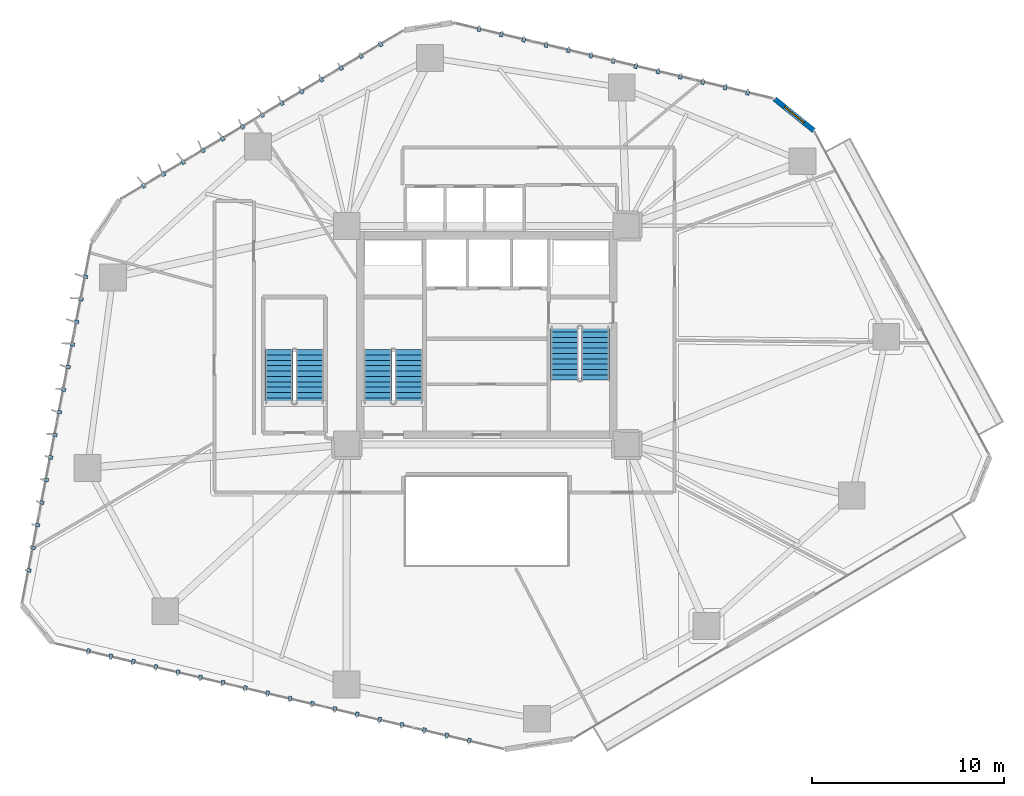
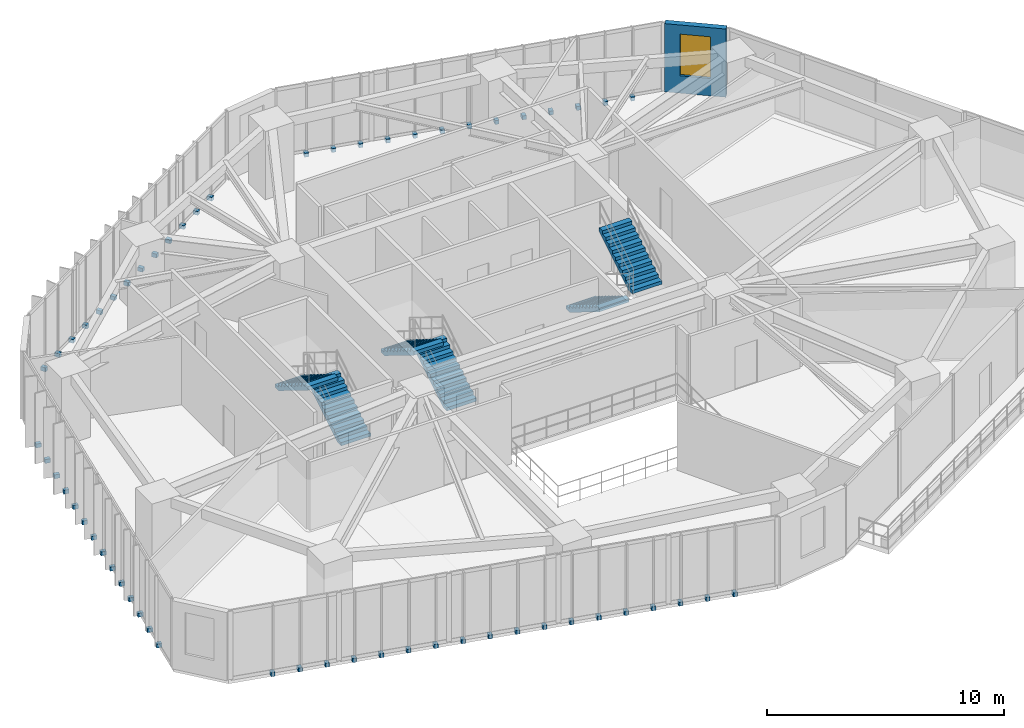
# One storey, part 19 of 23: 58 discrete accessories, 6 stair flights, 1 wall, 1 window, 1 opening, 3 elements without a shape of their own.
"""IFC4 building model written with IfcOpenShell, lengths in metres."""

from ifc_helpers import new_model, si_unit, direction, frame, frame_2d, origin, origin_2d, place, context, subcontext, project, spatial, polyline, rectangle, outline, extrude, source, transform, mapped, material, layer, layer_set, type_object, type_shapes, element, fill, aggregate, save


model = new_model("IFC4")

# Units and contexts
model_context = context("Model", 3, precision=1e-05, world=origin(), true_north=direction((0.0, 1.0)))
body_context = subcontext(model_context, "Body", "Model", "MODEL_VIEW")
ifc_project = project(units=[si_unit("LENGTHUNIT", "METRE"), si_unit("AREAUNIT", "SQUARE_METRE"), si_unit("VOLUMEUNIT", "CUBIC_METRE"), si_unit("PLANEANGLEUNIT", "RADIAN"), si_unit("MASSUNIT", "GRAM", prefix="KILO")], contexts=[model_context])

# Site, building, storey
site_placement = place(None, origin())
site = spatial("IfcSite", under=ifc_project, at=site_placement, CompositionType="ELEMENT")
building_placement = place(site_placement, origin())
building = spatial("IfcBuilding", under=site, at=building_placement, Name="Talar Marvaseh", CompositionType="ELEMENT")
storey_placement = place(building_placement, frame((0.0, 0.0, 50.60009765625)))
storey = spatial("IfcBuildingStorey", under=building, at=storey_placement, Name="L12", CompositionType="ELEMENT", Elevation=50.60009765625)

# Wall, opening, window
ifc_material_1 = material(Name="Precast concrete C45/55", Category="concrete")
ifc_layer_1 = layer(ifc_material_1, 0.27001953125)
ifc_layer_set_1 = layer_set([ifc_layer_1], Name="Precast concrete C45/55")
wall_type = type_object("IfcWallType", Name="Chamfered Hexagonal Corner Pier Wall Z1 270", PredefinedType="SOLIDWALL", material=ifc_layer_set_1)
wall_placement = place(storey_placement, frame((41.023681640625, 43.5224609375, 0.0), z_axis=(0.0, 0.0, 1.0), x_axis=(0.778539176846, -0.627596008684, 0.0)))
wall = element("IfcWall", 1, at=wall_placement, inside=storey, type_object=wall_type, Name="L12 Chamfered Corner Limestone Pier 4", PredefinedType="SOLIDWALL", context=body_context, shape_type="SweptSolid", body=[
    extrude(rectangle(XDim=2.62353515625, YDim=0.27001953125, at=frame_2d((1.311767578125, 0.0))), origin(), (0.0, 0.0, 1.0), 3.52001953125),
])
opening_placement = place(wall_placement, frame((0.662109375, 0.0, 0.89990234375)))
opening = element("IfcOpeningElement", 2, at=opening_placement, cuts=wall, Name="Opening WN-CHM13", PredefinedType="OPENING", context=body_context, shape_type="SweptSolid", body=[
    extrude(rectangle(XDim=1.300048828125, YDim=2.14990234375, at=frame_2d((0.64990234375, 1.074951171875))), frame((0.0, 0.14501953125, 0.0), z_axis=(0.0, -1.0, 0.0), x_axis=(1.0, 0.0, 0.0)), (0.0, 0.0, 1.0), 0.2900390625),
])
ifc_material_2 = material(Name="Laminated Low-E Solar Glass", Category="glass")
window_type = type_object("IfcWindowType", Name="Zone 1 Chamfered Corner Slot Window 1300x2150", PartitioningType="SINGLE_PANEL", PredefinedType="WINDOW", material=ifc_material_2)
shared_shape_1 = source(origin(), body_context, "Body", "SweptSolid", [
    extrude(rectangle(XDim=1.300048828125, YDim=2.14990234375, at=frame_2d((0.64990234375, 1.074951171875))), frame((0.0, 0.030029296875, 0.0), z_axis=(0.0, -1.0, 0.0), x_axis=(1.0, 0.0, 0.0)), (0.0, 0.0, 1.0), 0.06005859375),
])
type_shapes(window_type, [shared_shape_1])
window_placement = place(opening_placement, origin())
window = element("IfcWindow", 3, at=window_placement, inside=storey, type_object=window_type, Name="L12 Chamfered Corner Slot Window", OverallHeight=2.14990234375, OverallWidth=1.300048828125, PartitioningType="SINGLE_PANEL", PredefinedType="WINDOW", context=body_context, shape_type="MappedRepresentation", body=[
    mapped(shared_shape_1, transform((0.0, 0.0, 0.0), x_axis=(1.0, 0.0, 0.0), y_axis=(0.0, 1.0, 0.0), z_axis=(0.0, 0.0, 1.0), scale=1.0)),
])
fill(opening, window)

# Stair, stair flights
ifc_material_3 = material(Name="Concrete C40/50", Category="concrete")
stair_type = type_object("IfcStairType", Name="Reinforced Concrete Half-Turn Exit Stair Type B", PredefinedType="HALF_TURN_STAIR", material=ifc_material_3)
stair_1_placement = place(storey_placement, origin())
stair_1 = element("IfcStair", 4, at=stair_1_placement, inside=storey, type_object=stair_type, Name="L12 Tower West Core Exit Stair", PredefinedType="HALF_TURN_STAIR")
ifc_layer_2 = layer(ifc_material_3, 0.159912109375)
ifc_layer_set_2 = layer_set([ifc_layer_2], Name="Concrete C40/50")
stair_flight_type = type_object("IfcStairFlightType", Name="Reinforced Concrete Straight Stair Flight 160", PredefinedType="STRAIGHT", material=ifc_layer_set_2)
stair_flight_1_placement = place(storey_placement, frame((21.93505859375, 27.64990234375, 0.0), z_axis=(0.0, 0.0, 1.0), x_axis=(0.0, 1.0, 0.0)))
stair_flight_1 = element("IfcStairFlight", 5, at=stair_flight_1_placement, type_object=stair_flight_type, Name="ST-1 flight 1", NumberOfRisers=11, NumberOfTreads=10, PredefinedType="STRAIGHT", RiserHeight=0.172727273, TreadLength=0.28, context=body_context, shape_type="SweptSolid", body=[
    extrude(outline(polyline([(0.0, 0.0), (0.0, 0.172607421875), (0.280029296875, 0.172607421875), (0.280029296875, 0.345458984375), (0.56005859375, 0.345458984375), (0.56005859375, 0.51806640625), (0.840087890625, 0.51806640625), (0.840087890625, 0.69091796875), (1.1201171875, 0.69091796875), (1.1201171875, 0.863525390625), (1.39990234375, 0.863525390625), (1.39990234375, 1.036376953125), (1.679931640625, 1.036376953125), (1.679931640625, 1.208984375), (1.9599609375, 1.208984375), (1.9599609375, 1.3818359375), (2.239990234375, 1.3818359375), (2.239990234375, 1.554443359375), (2.52001953125, 1.554443359375), (2.52001953125, 1.727294921875), (2.800048828125, 1.727294921875), (2.800048828125, 1.89990234375), (2.800048828125, 1.539306640625), (0.3046875, 0.0), (0.0, 0.0)])), frame((0.0, 0.72509765625, 0.0), z_axis=(0.0, -1.0, 0.0), x_axis=(1.0, 0.0, 0.0)), (0.0, 0.0, 1.0), 1.449951171875),
])
stair_flight_2_placement = place(storey_placement, frame((20.324951171875, 30.449951171875, 1.89990234375), z_axis=(0.0, 0.0, 1.0), x_axis=(0.0, -1.0, 0.0)))
stair_flight_2 = element("IfcStairFlight", 6, at=stair_flight_2_placement, type_object=stair_flight_type, Name="ST-1 flight 2", NumberOfRisers=11, NumberOfTreads=10, PredefinedType="STRAIGHT", RiserHeight=0.172727273, TreadLength=0.28, context=body_context, shape_type="SweptSolid", body=[
    extrude(outline(polyline([(0.0, 0.0), (0.0, 0.172607421875), (0.280029296875, 0.172607421875), (0.280029296875, 0.345458984375), (0.56005859375, 0.345458984375), (0.56005859375, 0.51806640625), (0.840087890625, 0.51806640625), (0.840087890625, 0.69091796875), (1.1201171875, 0.69091796875), (1.1201171875, 0.863525390625), (1.39990234375, 0.863525390625), (1.39990234375, 1.036376953125), (1.679931640625, 1.036376953125), (1.679931640625, 1.208984375), (1.9599609375, 1.208984375), (1.9599609375, 1.3818359375), (2.239990234375, 1.3818359375), (2.239990234375, 1.554443359375), (2.52001953125, 1.554443359375), (2.52001953125, 1.727294921875), (2.800048828125, 1.727294921875), (2.800048828125, 1.89990234375), (2.800048828125, 1.539306640625), (0.3046875, 0.0), (0.0, 0.0)])), frame((0.0, 0.72509765625, 0.0), z_axis=(0.0, -1.0, 0.0), x_axis=(1.0, 0.0, 0.0)), (0.0, 0.0, 1.0), 1.449951171875),
])
aggregate(stair_1, [stair_flight_1, stair_flight_2])

stair_2_placement = place(storey_placement, origin())
stair_2 = element("IfcStair", 7, at=stair_2_placement, inside=storey, type_object=stair_type, Name="L12 Tower East Core Exit Stair", PredefinedType="HALF_TURN_STAIR")
stair_flight_3_placement = place(storey_placement, frame((30.06494140625, 31.64990234375, 0.0), z_axis=(0.0, 0.0, 1.0), x_axis=(0.0, -1.0, 0.0)))
stair_flight_3 = element("IfcStairFlight", 8, at=stair_flight_3_placement, type_object=stair_flight_type, Name="ST-2 flight 1", NumberOfRisers=11, NumberOfTreads=10, PredefinedType="STRAIGHT", RiserHeight=0.172727273, TreadLength=0.28, context=body_context, shape_type="SweptSolid", body=[
    extrude(outline(polyline([(0.0, 0.0), (0.0, 0.172607421875), (0.280029296875, 0.172607421875), (0.280029296875, 0.345458984375), (0.56005859375, 0.345458984375), (0.56005859375, 0.51806640625), (0.840087890625, 0.51806640625), (0.840087890625, 0.69091796875), (1.1201171875, 0.69091796875), (1.1201171875, 0.863525390625), (1.39990234375, 0.863525390625), (1.39990234375, 1.036376953125), (1.679931640625, 1.036376953125), (1.679931640625, 1.208984375), (1.9599609375, 1.208984375), (1.9599609375, 1.3818359375), (2.239990234375, 1.3818359375), (2.239990234375, 1.554443359375), (2.52001953125, 1.554443359375), (2.52001953125, 1.727294921875), (2.800048828125, 1.727294921875), (2.800048828125, 1.89990234375), (2.800048828125, 1.539306640625), (0.3046875, 0.0), (0.0, 0.0)])), frame((0.0, 0.72509765625, 0.0), z_axis=(0.0, -1.0, 0.0), x_axis=(1.0, 0.0, 0.0)), (0.0, 0.0, 1.0), 1.449951171875),
])
stair_flight_4_placement = place(storey_placement, frame((31.675048828125, 28.85009765625, 1.89990234375), z_axis=(0.0, 0.0, 1.0), x_axis=(0.0, 1.0, 0.0)))
stair_flight_4 = element("IfcStairFlight", 9, at=stair_flight_4_placement, type_object=stair_flight_type, Name="ST-2 flight 2", NumberOfRisers=11, NumberOfTreads=10, PredefinedType="STRAIGHT", RiserHeight=0.172727273, TreadLength=0.28, context=body_context, shape_type="SweptSolid", body=[
    extrude(outline(polyline([(0.0, 0.0), (0.0, 0.172607421875), (0.280029296875, 0.172607421875), (0.280029296875, 0.345458984375), (0.56005859375, 0.345458984375), (0.56005859375, 0.51806640625), (0.840087890625, 0.51806640625), (0.840087890625, 0.69091796875), (1.1201171875, 0.69091796875), (1.1201171875, 0.863525390625), (1.39990234375, 0.863525390625), (1.39990234375, 1.036376953125), (1.679931640625, 1.036376953125), (1.679931640625, 1.208984375), (1.9599609375, 1.208984375), (1.9599609375, 1.3818359375), (2.239990234375, 1.3818359375), (2.239990234375, 1.554443359375), (2.52001953125, 1.554443359375), (2.52001953125, 1.727294921875), (2.800048828125, 1.727294921875), (2.800048828125, 1.89990234375), (2.800048828125, 1.539306640625), (0.3046875, 0.0), (0.0, 0.0)])), frame((0.0, 0.72509765625, 0.0), z_axis=(0.0, -1.0, 0.0), x_axis=(1.0, 0.0, 0.0)), (0.0, 0.0, 1.0), 1.449951171875),
])
aggregate(stair_2, [stair_flight_3, stair_flight_4])

stair_3_placement = place(storey_placement, origin())
stair_3 = element("IfcStair", 10, at=stair_3_placement, inside=storey, type_object=stair_type, Name="L12 Museum & Podium Auxiliary Exit Stair", PredefinedType="HALF_TURN_STAIR")
stair_flight_5_placement = place(storey_placement, frame((16.77490234375, 27.64990234375, 0.0), z_axis=(0.0, 0.0, 1.0), x_axis=(0.0, 1.0, 0.0)))
stair_flight_5 = element("IfcStairFlight", 11, at=stair_flight_5_placement, type_object=stair_flight_type, Name="ST-3 flight 1", NumberOfRisers=11, NumberOfTreads=10, PredefinedType="STRAIGHT", RiserHeight=0.172727273, TreadLength=0.28, context=body_context, shape_type="SweptSolid", body=[
    extrude(outline(polyline([(0.0, 0.0), (0.0, 0.172607421875), (0.280029296875, 0.172607421875), (0.280029296875, 0.345458984375), (0.56005859375, 0.345458984375), (0.56005859375, 0.51806640625), (0.840087890625, 0.51806640625), (0.840087890625, 0.69091796875), (1.1201171875, 0.69091796875), (1.1201171875, 0.863525390625), (1.39990234375, 0.863525390625), (1.39990234375, 1.036376953125), (1.679931640625, 1.036376953125), (1.679931640625, 1.208984375), (1.9599609375, 1.208984375), (1.9599609375, 1.3818359375), (2.239990234375, 1.3818359375), (2.239990234375, 1.554443359375), (2.52001953125, 1.554443359375), (2.52001953125, 1.727294921875), (2.800048828125, 1.727294921875), (2.800048828125, 1.89990234375), (2.800048828125, 1.539306640625), (0.3046875, 0.0), (0.0, 0.0)])), frame((0.0, 0.72509765625, 0.0), z_axis=(0.0, -1.0, 0.0), x_axis=(1.0, 0.0, 0.0)), (0.0, 0.0, 1.0), 1.449951171875),
])
stair_flight_6_placement = place(storey_placement, frame((15.1650390625, 30.449951171875, 1.89990234375), z_axis=(0.0, 0.0, 1.0), x_axis=(0.0, -1.0, 0.0)))
stair_flight_6 = element("IfcStairFlight", 12, at=stair_flight_6_placement, type_object=stair_flight_type, Name="ST-3 flight 2", NumberOfRisers=11, NumberOfTreads=10, PredefinedType="STRAIGHT", RiserHeight=0.172727273, TreadLength=0.28, context=body_context, shape_type="SweptSolid", body=[
    extrude(outline(polyline([(0.0, 0.0), (0.0, 0.172607421875), (0.280029296875, 0.172607421875), (0.280029296875, 0.345458984375), (0.56005859375, 0.345458984375), (0.56005859375, 0.51806640625), (0.840087890625, 0.51806640625), (0.840087890625, 0.69091796875), (1.1201171875, 0.69091796875), (1.1201171875, 0.863525390625), (1.39990234375, 0.863525390625), (1.39990234375, 1.036376953125), (1.679931640625, 1.036376953125), (1.679931640625, 1.208984375), (1.9599609375, 1.208984375), (1.9599609375, 1.3818359375), (2.239990234375, 1.3818359375), (2.239990234375, 1.554443359375), (2.52001953125, 1.554443359375), (2.52001953125, 1.727294921875), (2.800048828125, 1.727294921875), (2.800048828125, 1.89990234375), (2.800048828125, 1.539306640625), (0.3046875, 0.0), (0.0, 0.0)])), frame((0.0, 0.72509765625, 0.0), z_axis=(0.0, -1.0, 0.0), x_axis=(1.0, 0.0, 0.0)), (0.0, 0.0, 1.0), 1.449951171875),
])
aggregate(stair_3, [stair_flight_5, stair_flight_6])

# Discrete accessories
ifc_material_4 = material(Name="Stainless Steel Grade 316", Category="steel")
discrete_accessory_type = type_object("IfcDiscreteAccessoryType", Name="Stainless Slab-Edge Fin Mounting Bracket", PredefinedType="BRACKET", material=ifc_material_4)
shared_shape_2 = source(origin(), body_context, "Body", "SweptSolid", [
    extrude(rectangle(XDim=0.239990234375, YDim=0.179931640625, at=origin_2d()), origin(), (0.0, 0.0, 1.0), 0.199951171875),
])
type_shapes(discrete_accessory_type, [shared_shape_2])
for number, where, z_axis, x_axis, name in (
    (13, (2.114013671875, 18.9345703125, -0.18017578125), (0.0, 0.0, 1.0), (-0.981958712696, 0.18909544299, 0.0), "L12 Vertical Fin Slab-Edge Bracket"),
    (14, (2.3408203125, 20.11279296875, -0.18017578125), (0.0, 0.0, 1.0), (-0.981958712696, 0.18909544299, 0.0), "L12 Vertical Fin Slab-Edge Bracket"),
    (15, (2.56787109375, 21.291259765625, -0.18017578125), (0.0, 0.0, 1.0), (-0.981958712696, 0.18909544299, 0.0), "L12 Vertical Fin Slab-Edge Bracket"),
    (16, (2.794921875, 22.469482421875, -0.18017578125), (0.0, 0.0, 1.0), (-0.981958712696, 0.18909544299, 0.0), "L12 Vertical Fin Slab-Edge Bracket"),
    (17, (3.02197265625, 23.64794921875, -0.18017578125), (0.0, 0.0, 1.0), (-0.981958712696, 0.18909544299, 0.0), "L12 Vertical Fin Slab-Edge Bracket"),
    (18, (3.248779296875, 24.826416015625, -0.18017578125), (0.0, 0.0, 1.0), (-0.981958712696, 0.18909544299, 0.0), "L12 Vertical Fin Slab-Edge Bracket"),
    (19, (3.475830078125, 26.004638671875, -0.18017578125), (0.0, 0.0, 1.0), (-0.981958712696, 0.18909544299, 0.0), "L12 Vertical Fin Slab-Edge Bracket"),
    (20, (3.702880859375, 27.182861328125, -0.18017578125), (0.0, 0.0, 1.0), (-0.981958712696, 0.18909544299, 0.0), "L12 Vertical Fin Slab-Edge Bracket"),
    (21, (3.929931640625, 28.361328125, -0.18017578125), (0.0, 0.0, 1.0), (-0.981958712696, 0.18909544299, 0.0), "L12 Vertical Fin Slab-Edge Bracket"),
    (22, (4.156982421875, 29.53955078125, -0.18017578125), (0.0, 0.0, 1.0), (-0.981958712696, 0.18909544299, 0.0), "L12 Vertical Fin Slab-Edge Bracket"),
    (23, (4.3837890625, 30.718017578125, -0.18017578125), (0.0, 0.0, 1.0), (-0.981958712696, 0.18909544299, 0.0), "L12 Vertical Fin Slab-Edge Bracket"),
    (24, (4.61083984375, 31.896240234375, -0.18017578125), (0.0, 0.0, 1.0), (-0.981958712696, 0.18909544299, 0.0), "L12 Vertical Fin Slab-Edge Bracket"),
    (25, (4.837890625, 33.07470703125, -0.18017578125), (0.0, 0.0, 1.0), (-0.981958712696, 0.18909544299, 0.0), "L12 Vertical Fin Slab-Edge Bracket"),
    (26, (5.064697265625, 34.2529296875, -0.18017578125), (0.0, 0.0, 1.0), (-0.981958712696, 0.18909544299, 0.0), "L12 Vertical Fin Slab-Edge Bracket"),
    (27, (8.105712890625, 38.99365234375, -0.18017578125), (0.0, 0.0, 1.0), (-0.512342667236, 0.858781107925, 0.0), "L12 Vertical Fin Slab-Edge Bracket"),
    (28, (9.13623046875, 39.6083984375, -0.18017578125), (0.0, 0.0, 1.0), (-0.512342667236, 0.858781107925, 0.0), "L12 Vertical Fin Slab-Edge Bracket"),
    (29, (10.1669921875, 40.22314453125, -0.18017578125), (0.0, 0.0, 1.0), (-0.512342667236, 0.858781107925, 0.0), "L12 Vertical Fin Slab-Edge Bracket"),
    (30, (11.197509765625, 40.837890625, -0.18017578125), (0.0, 0.0, 1.0), (-0.512342667236, 0.858781107925, 0.0), "L12 Vertical Fin Slab-Edge Bracket"),
    (31, (12.22802734375, 41.452880859375, -0.18017578125), (0.0, 0.0, 1.0), (-0.512342667236, 0.858781107925, 0.0), "L12 Vertical Fin Slab-Edge Bracket"),
    (32, (13.258544921875, 42.0673828125, -0.18017578125), (0.0, 0.0, 1.0), (-0.512342667236, 0.858781107925, 0.0), "L12 Vertical Fin Slab-Edge Bracket"),
    (33, (14.2890625, 42.682373046875, -0.18017578125), (0.0, 0.0, 1.0), (-0.512342667236, 0.858781107925, 0.0), "L12 Vertical Fin Slab-Edge Bracket"),
    (34, (15.319580078125, 43.297119140625, -0.18017578125), (0.0, 0.0, 1.0), (-0.512342667236, 0.858781107925, 0.0), "L12 Vertical Fin Slab-Edge Bracket"),
    (35, (16.35009765625, 43.911865234375, -0.18017578125), (0.0, 0.0, 1.0), (-0.512342667236, 0.858781107925, 0.0), "L12 Vertical Fin Slab-Edge Bracket"),
    (36, (17.380859375, 44.526611328125, -0.18017578125), (0.0, 0.0, 1.0), (-0.512342667236, 0.858781107925, 0.0), "L12 Vertical Fin Slab-Edge Bracket"),
    (37, (18.411376953125, 45.141357421875, -0.18017578125), (0.0, 0.0, 1.0), (-0.512342667236, 0.858781107925, 0.0), "L12 Vertical Fin Slab-Edge Bracket"),
    (38, (19.44189453125, 45.756103515625, -0.18017578125), (0.0, 0.0, 1.0), (-0.512342667236, 0.858781107925, 0.0), "L12 Vertical Fin Slab-Edge Bracket"),
    (39, (20.472412109375, 46.370849609375, -0.18017578125), (0.0, 0.0, 1.0), (-0.512342667236, 0.858781107925, 0.0), "L12 Vertical Fin Slab-Edge Bracket"),
    (40, (25.59716796875, 47.15966796875, -0.18017578125), (0.0, 0.0, 1.0), (0.230389426677, 0.973098510982, 0.0), "L12 Vertical Fin Slab-Edge Bracket"),
    (41, (26.764892578125, 46.88330078125, -0.18017578125), (0.0, 0.0, 1.0), (0.230389426677, 0.973098510982, 0.0), "L12 Vertical Fin Slab-Edge Bracket"),
    (42, (27.9326171875, 46.606689453125, -0.18017578125), (0.0, 0.0, 1.0), (0.230389426677, 0.973098510982, 0.0), "L12 Vertical Fin Slab-Edge Bracket"),
    (43, (29.100341796875, 46.330322265625, -0.18017578125), (0.0, 0.0, 1.0), (0.230389426677, 0.973098510982, 0.0), "L12 Vertical Fin Slab-Edge Bracket"),
    (44, (30.26806640625, 46.053955078125, -0.18017578125), (0.0, 0.0, 1.0), (0.230389426677, 0.973098510982, 0.0), "L12 Vertical Fin Slab-Edge Bracket"),
    (45, (31.435791015625, 45.777587890625, -0.18017578125), (0.0, 0.0, 1.0), (0.230389426677, 0.973098510982, 0.0), "L12 Vertical Fin Slab-Edge Bracket"),
    (46, (32.603515625, 45.501220703125, -0.18017578125), (0.0, 0.0, 1.0), (0.230389426677, 0.973098510982, 0.0), "L12 Vertical Fin Slab-Edge Bracket"),
    (47, (33.771240234375, 45.224609375, -0.18017578125), (0.0, 0.0, 1.0), (0.230389426677, 0.973098510982, 0.0), "L12 Vertical Fin Slab-Edge Bracket"),
    (48, (34.93896484375, 44.9482421875, -0.18017578125), (0.0, 0.0, 1.0), (0.230389426677, 0.973098510982, 0.0), "L12 Vertical Fin Slab-Edge Bracket"),
    (49, (36.106689453125, 44.671875, -0.18017578125), (0.0, 0.0, 1.0), (0.230389426677, 0.973098510982, 0.0), "L12 Vertical Fin Slab-Edge Bracket"),
    (50, (37.2744140625, 44.3955078125, -0.18017578125), (0.0, 0.0, 1.0), (0.230389426677, 0.973098510982, 0.0), "L12 Vertical Fin Slab-Edge Bracket"),
    (51, (38.442138671875, 44.118896484375, -0.18017578125), (0.0, 0.0, 1.0), (0.230389426677, 0.973098510982, 0.0), "L12 Vertical Fin Slab-Edge Bracket"),
    (52, (39.60986328125, 43.842529296875, -0.18017578125), (0.0, 0.0, 1.0), (0.230389426677, 0.973098510982, 0.0), "L12 Vertical Fin Slab-Edge Bracket"),
    (53, (25.086669921875, 10.05126953125, -0.18017578125), (0.0, 0.0, 1.0), (-0.229030500703, -0.97341924665, 0.0), "L12 Vertical Fin Slab-Edge Bracket"),
    (54, (23.91845703125, 10.326171875, -0.18017578125), (0.0, 0.0, 1.0), (-0.229030500703, -0.97341924665, 0.0), "L12 Vertical Fin Slab-Edge Bracket"),
    (55, (22.75048828125, 10.60107421875, -0.18017578125), (0.0, 0.0, 1.0), (-0.229030500703, -0.97341924665, 0.0), "L12 Vertical Fin Slab-Edge Bracket"),
    (56, (21.582275390625, 10.8759765625, -0.18017578125), (0.0, 0.0, 1.0), (-0.229030500703, -0.97341924665, 0.0), "L12 Vertical Fin Slab-Edge Bracket"),
    (57, (20.414306640625, 11.15087890625, -0.18017578125), (0.0, 0.0, 1.0), (-0.229030500703, -0.97341924665, 0.0), "L12 Vertical Fin Slab-Edge Bracket"),
    (58, (19.24609375, 11.425537109375, -0.18017578125), (0.0, 0.0, 1.0), (-0.229030500703, -0.97341924665, 0.0), "L12 Vertical Fin Slab-Edge Bracket"),
    (59, (18.077880859375, 11.700439453125, -0.18017578125), (0.0, 0.0, 1.0), (-0.229030500703, -0.97341924665, 0.0), "L12 Vertical Fin Slab-Edge Bracket"),
    (60, (16.909912109375, 11.975341796875, -0.18017578125), (0.0, 0.0, 1.0), (-0.229030500703, -0.97341924665, 0.0), "L12 Vertical Fin Slab-Edge Bracket"),
    (61, (15.74169921875, 12.250244140625, -0.18017578125), (0.0, 0.0, 1.0), (-0.229030500703, -0.97341924665, 0.0), "L12 Vertical Fin Slab-Edge Bracket"),
    (62, (14.57373046875, 12.525146484375, -0.18017578125), (0.0, 0.0, 1.0), (-0.229030500703, -0.97341924665, 0.0), "L12 Vertical Fin Slab-Edge Bracket"),
    (63, (13.405517578125, 12.800048828125, -0.18017578125), (0.0, 0.0, 1.0), (-0.229030500703, -0.97341924665, 0.0), "L12 Vertical Fin Slab-Edge Bracket"),
    (64, (12.237548828125, 13.07470703125, -0.18017578125), (0.0, 0.0, 1.0), (-0.229030500703, -0.97341924665, 0.0), "L12 Vertical Fin Slab-Edge Bracket"),
    (65, (11.0693359375, 13.349609375, -0.18017578125), (0.0, 0.0, 1.0), (-0.229030500703, -0.97341924665, 0.0), "L12 Vertical Fin Slab-Edge Bracket"),
    (66, (9.9013671875, 13.62451171875, -0.18017578125), (0.0, 0.0, 1.0), (-0.229030500703, -0.97341924665, 0.0), "L12 Vertical Fin Slab-Edge Bracket"),
    (67, (8.733154296875, 13.8994140625, -0.18017578125), (0.0, 0.0, 1.0), (-0.229030500703, -0.97341924665, 0.0), "L12 Vertical Fin Slab-Edge Bracket"),
    (68, (7.565185546875, 14.17431640625, -0.18017578125), (0.0, 0.0, 1.0), (-0.229030500703, -0.97341924665, 0.0), "L12 Vertical Fin Slab-Edge Bracket"),
    (69, (6.39697265625, 14.44921875, -0.18017578125), (0.0, 0.0, 1.0), (-0.229030500703, -0.97341924665, 0.0), "L12 Vertical Fin Slab-Edge Bracket"),
    (70, (5.22900390625, 14.72412109375, -0.18017578125), (0.0, 0.0, 1.0), (-0.229030500703, -0.97341924665, 0.0), "L12 Vertical Fin Slab-Edge Bracket"),
):
    element("IfcDiscreteAccessory", number, at=place(storey_placement, frame(where, z_axis=z_axis, x_axis=x_axis)), inside=storey, type_object=discrete_accessory_type, Name=name, PredefinedType="BRACKET", context=body_context, shape_type="MappedRepresentation", body=[
        mapped(shared_shape_2, transform((0.0, 0.0, 0.0), x_axis=(1.0, 0.0, 0.0), y_axis=(0.0, 1.0, 0.0), z_axis=(0.0, 0.0, 1.0), scale=1.0)),
    ])

save(model, "model.ifc")
